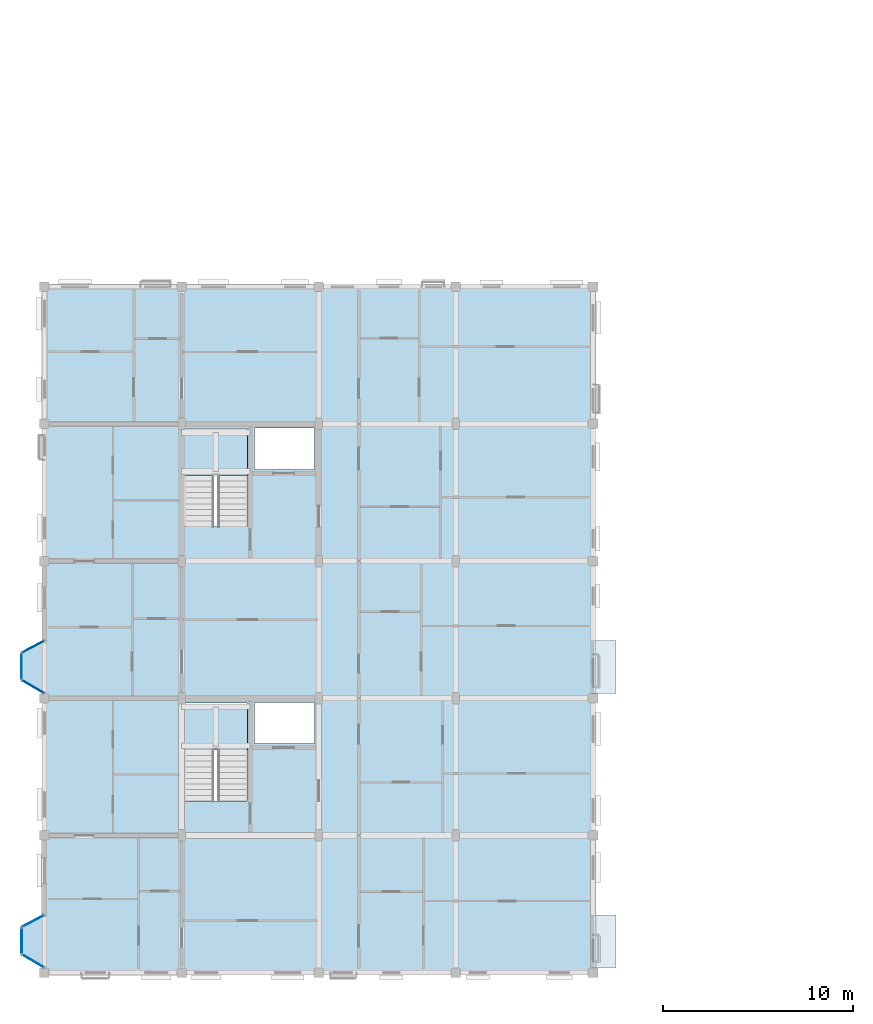
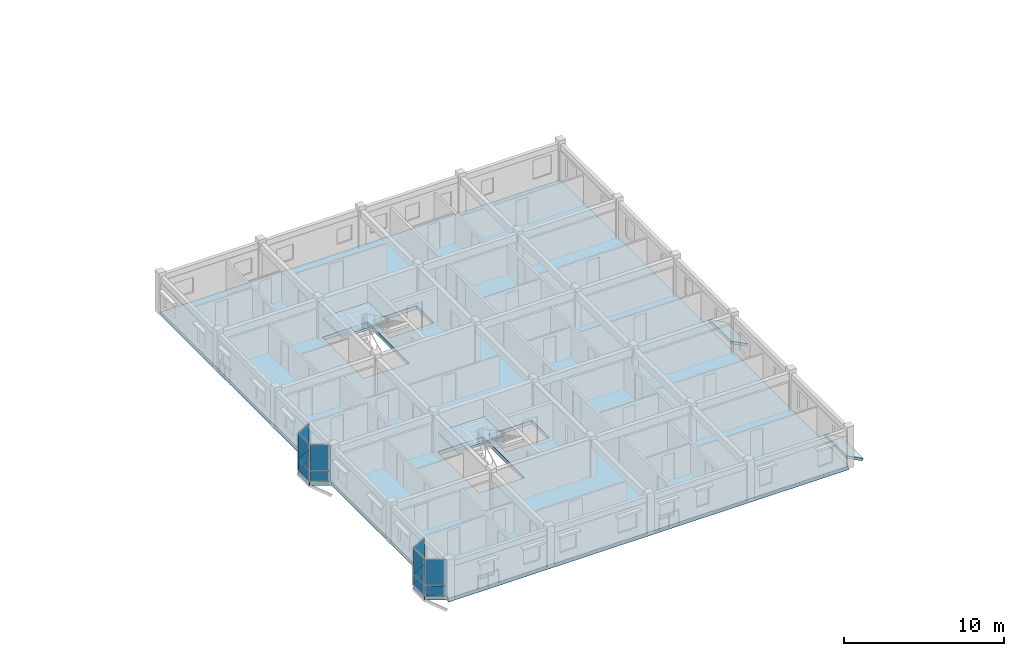
# One storey, part 13 of 38: 12 plates, 5 slabs, 8 elements without a shape of their own.
"""IFC4 building model written with IfcOpenShell, lengths in metres."""

from ifc_helpers import new_model, si_unit, direction, frame, origin, origin_2d, place, context, subcontext, project, spatial, polyline, rectangle, outline, extrude, material, layer, layer_set, type_object, element, aggregate, save


model = new_model("IFC4")

# Units and contexts
model_context = context("Model", 3, precision=1e-05, world=origin(), true_north=direction((0.0, 1.0)))
body_context = subcontext(model_context, "Body", "Model", "MODEL_VIEW")
ifc_project = project(units=[si_unit("LENGTHUNIT", "METRE"), si_unit("AREAUNIT", "SQUARE_METRE"), si_unit("VOLUMEUNIT", "CUBIC_METRE"), si_unit("PLANEANGLEUNIT", "RADIAN"), si_unit("MASSUNIT", "GRAM", prefix="KILO"), si_unit("THERMODYNAMICTEMPERATUREUNIT", "KELVIN"), si_unit("POWERUNIT", "WATT")], contexts=[model_context])

# Site, building, storey
site_placement = place(None, origin())
site = spatial("IfcSite", under=ifc_project, at=site_placement, CompositionType="ELEMENT")
building_placement = place(site_placement, origin())
building = spatial("IfcBuilding", under=site, at=building_placement, Name="Tavuni Mirador Residences", CompositionType="ELEMENT")
storey_placement = place(building_placement, frame((0.0, 0.0, 32.85009765625)))
storey = spatial("IfcBuildingStorey", under=building, at=storey_placement, Name="L10", CompositionType="ELEMENT", Elevation=32.85009765625)

# Curtain wall, plate
ifc_material_1 = material(Name="Anodised aluminium", Category="aluminium")
ifc_layer_1 = layer(ifc_material_1, 0.1650390625, Name="Anodised aluminium", Category="aluminium")
ifc_layer_set_1 = layer_set([ifc_layer_1], Name="Anodised aluminium")
curtain_wall_type_1 = type_object("IfcCurtainWallType", Name="CWT-MIR-A", PredefinedType="NOTDEFINED", material=ifc_layer_set_1)
curtain_wall_1_placement = place(storey_placement, origin())
curtain_wall_1 = element("IfcCurtainWall", 1, at=curtain_wall_1_placement, inside=storey, type_object=curtain_wall_type_1, Name="CW-MIR-A-W1-L10-M1", PredefinedType="NOTDEFINED")
ifc_material_2 = material(Name="Laminated solar-control glass", Category="glass")
ifc_layer_2 = layer(ifc_material_2, 0.02392578125, Name="Laminated solar-control glass", Category="glass")
ifc_layer_set_2 = layer_set([ifc_layer_2], Name="Laminated solar-control glass")
plate_type_1 = type_object("IfcPlateType", Name="CWP-GL24", PredefinedType="CURTAIN_PANEL", material=ifc_layer_set_2)
plate_1_placement = place(storey_placement, frame((3.0, 9.89990234375, 0.8798828125), z_axis=(0.0, 0.0, 1.0), x_axis=(-0.882352941175, -0.470588235296, 0.0)))
plate_1 = element("IfcPlate", 2, at=plate_1_placement, type_object=plate_type_1, Name="CW-01 panel 1.2", PredefinedType="CURTAIN_PANEL", context=body_context, shape_type="SweptSolid", body=[
    extrude(rectangle(XDim=1.239990234375, YDim=0.02392578125, at=origin_2d()), origin(), (0.0, 0.0, 1.0), 1.929931640625),
])

ifc_layer_3 = layer(ifc_material_1, 0.14990234375, Name="Anodised aluminium", Category="aluminium")
ifc_layer_set_3 = layer_set([ifc_layer_3], Name="Anodised aluminium")
curtain_wall_type_2 = type_object("IfcCurtainWallType", Name="CWT-MIR-B", PredefinedType="NOTDEFINED", material=ifc_layer_set_3)
curtain_wall_2_placement = place(storey_placement, origin())
curtain_wall_2 = element("IfcCurtainWall", 3, at=curtain_wall_2_placement, inside=storey, type_object=curtain_wall_type_2, Name="CW-MIR-A-W2-L10-M1", PredefinedType="NOTDEFINED")
ifc_layer_4 = layer(ifc_material_2, 0.028076171875, Name="Laminated solar-control glass", Category="glass")
ifc_layer_set_4 = layer_set([ifc_layer_4], Name="Laminated solar-control glass")
plate_type_2 = type_object("IfcPlateType", Name="CWP-GL28", PredefinedType="CURTAIN_PANEL", material=ifc_layer_set_4)
plate_2_placement = place(storey_placement, frame((3.0, 24.300048828125, 0.88232421875), z_axis=(0.0, 0.0, 1.0), x_axis=(-0.882352941175, -0.470588235296, 0.0)))
plate_2 = element("IfcPlate", 4, at=plate_2_placement, type_object=plate_type_2, Name="CW-02 panel 1.2", PredefinedType="CURTAIN_PANEL", context=body_context, shape_type="SweptSolid", body=[
    extrude(rectangle(XDim=1.22998046875, YDim=0.028076171875, at=origin_2d()), origin(), (0.0, 0.0, 1.0), 1.922607421875),
])

curtain_wall_3_placement = place(storey_placement, origin())
curtain_wall_3 = element("IfcCurtainWall", 5, at=curtain_wall_3_placement, inside=storey, type_object=curtain_wall_type_2, Name="CW-MIR-A-W1-L10-MF", PredefinedType="NOTDEFINED")
plate_3_placement = place(storey_placement, frame((2.39990234375, 8.8701171875, 0.88232421875), z_axis=(0.0, 0.0, 1.0), x_axis=(0.0, -1.0, 0.0)))
plate_3 = element("IfcPlate", 6, at=plate_3_placement, type_object=plate_type_2, Name="CW-02 panel 1.2", PredefinedType="CURTAIN_PANEL", context=body_context, shape_type="SweptSolid", body=[
    extrude(rectangle(XDim=1.2900390625, YDim=0.028076171875, at=origin_2d()), origin(), (0.0, 0.0, 1.0), 1.922607421875),
])

ifc_layer_5 = layer(ifc_material_1, 0.175048828125, Name="Anodised aluminium", Category="aluminium")
ifc_layer_set_5 = layer_set([ifc_layer_5], Name="Anodised aluminium")
curtain_wall_type_3 = type_object("IfcCurtainWallType", Name="CWT-MIR-C", PredefinedType="NOTDEFINED", material=ifc_layer_set_5)
curtain_wall_4_placement = place(storey_placement, origin())
curtain_wall_4 = element("IfcCurtainWall", 7, at=curtain_wall_4_placement, inside=storey, type_object=curtain_wall_type_3, Name="CW-MIR-A-W2-L10-MF", PredefinedType="NOTDEFINED")
ifc_layer_6 = layer(ifc_material_2, 0.031982421875, Name="Laminated solar-control glass", Category="glass")
ifc_layer_set_6 = layer_set([ifc_layer_6], Name="Laminated solar-control glass")
plate_type_3 = type_object("IfcPlateType", Name="CWP-GL32", PredefinedType="CURTAIN_PANEL", material=ifc_layer_set_6)
plate_4_placement = place(storey_placement, frame((2.39990234375, 23.27001953125, 0.8798828125), z_axis=(0.0, 0.0, 1.0), x_axis=(0.0, -1.0, 0.0)))
plate_4 = element("IfcPlate", 8, at=plate_4_placement, type_object=plate_type_3, Name="CW-03 panel 1.2", PredefinedType="CURTAIN_PANEL", context=body_context, shape_type="SweptSolid", body=[
    extrude(rectangle(XDim=1.300048828125, YDim=0.031982421875, at=origin_2d()), origin(), (0.0, 0.0, 1.0), 1.929931640625),
])

curtain_wall_5_placement = place(storey_placement, origin())
curtain_wall_5 = element("IfcCurtainWall", 9, at=curtain_wall_5_placement, inside=storey, type_object=curtain_wall_type_3, Name="CW-MIR-A-W1-L10-M2", PredefinedType="NOTDEFINED")
plate_5_placement = place(storey_placement, frame((3.0, 7.804931640625, 0.8798828125), z_axis=(0.0, 0.0, 1.0), x_axis=(0.860640830284, -0.509212491254, 0.0)))
plate_5 = element("IfcPlate", 10, at=plate_5_placement, type_object=plate_type_3, Name="CW-03 panel 1.2", PredefinedType="CURTAIN_PANEL", context=body_context, shape_type="SweptSolid", body=[
    extrude(rectangle(XDim=1.2744140625, YDim=0.031982421875, at=origin_2d()), origin(), (0.0, 0.0, 1.0), 1.929931640625),
])

ifc_layer_7 = layer(ifc_material_1, 0.159912109375, Name="Anodised aluminium", Category="aluminium")
ifc_layer_set_7 = layer_set([ifc_layer_7], Name="Anodised aluminium")
curtain_wall_type_4 = type_object("IfcCurtainWallType", Name="CWT-MIR-D", PredefinedType="NOTDEFINED", material=ifc_layer_set_7)
curtain_wall_6_placement = place(storey_placement, origin())
curtain_wall_6 = element("IfcCurtainWall", 11, at=curtain_wall_6_placement, inside=storey, type_object=curtain_wall_type_4, Name="CW-MIR-A-W2-L10-M2", PredefinedType="NOTDEFINED")
ifc_layer_8 = layer(ifc_material_2, 0.035888671875, Name="Laminated solar-control glass", Category="glass")
ifc_layer_set_8 = layer_set([ifc_layer_8], Name="Laminated solar-control glass")
plate_type_4 = type_object("IfcPlateType", Name="CWP-GL36", PredefinedType="CURTAIN_PANEL", material=ifc_layer_set_8)
plate_6_placement = place(storey_placement, frame((3.0, 22.205078125, 0.88232421875), z_axis=(0.0, 0.0, 1.0), x_axis=(0.860640830284, -0.509212491254, 0.0)))
plate_6 = element("IfcPlate", 12, at=plate_6_placement, type_object=plate_type_4, Name="CW-04 panel 1.2", PredefinedType="CURTAIN_PANEL", context=body_context, shape_type="SweptSolid", body=[
    extrude(rectangle(XDim=1.264404296875, YDim=0.035888671875, at=origin_2d()), origin(), (0.0, 0.0, 1.0), 1.922607421875),
])

# Plate
ifc_material_3 = material(Name="Ceramic trencadis mosaic panel", Category="masonry")
ifc_layer_9 = layer(ifc_material_3, 0.0419921875, Name="Ceramic trencadis mosaic panel", Category="masonry")
ifc_layer_set_9 = layer_set([ifc_layer_9], Name="Ceramic trencadis mosaic panel")
plate_type_5 = type_object("IfcPlateType", Name="CWP-SP42", PredefinedType="CURTAIN_PANEL", material=ifc_layer_set_9)
plate_7_placement = place(storey_placement, frame((2.39990234375, 23.27001953125, 0.06005859375), z_axis=(0.0, 0.0, 1.0), x_axis=(0.0, -1.0, 0.0)))
plate_7 = element("IfcPlate", 13, at=plate_7_placement, type_object=plate_type_5, Name="CW-03 panel 1.1", PredefinedType="CURTAIN_PANEL", context=body_context, shape_type="SweptSolid", body=[
    extrude(rectangle(XDim=1.300048828125, YDim=0.0419921875, at=origin_2d()), origin(), (0.0, 0.0, 1.0), 0.760009765625),
])

aggregate(curtain_wall_4, [plate_7, plate_4])

plate_8_placement = place(storey_placement, frame((3.0, 9.89990234375, 0.06005859375), z_axis=(0.0, 0.0, 1.0), x_axis=(-0.882352941175, -0.470588235296, 0.0)))
plate_8 = element("IfcPlate", 14, at=plate_8_placement, type_object=plate_type_5, Name="CW-01 panel 1.1", PredefinedType="CURTAIN_PANEL", context=body_context, shape_type="SweptSolid", body=[
    extrude(rectangle(XDim=1.239990234375, YDim=0.0419921875, at=origin_2d()), origin(), (0.0, 0.0, 1.0), 0.760009765625),
])

aggregate(curtain_wall_1, [plate_8, plate_1])

plate_9_placement = place(storey_placement, frame((3.0, 7.804931640625, 0.06005859375), z_axis=(0.0, 0.0, 1.0), x_axis=(0.860640830284, -0.509212491254, 0.0)))
plate_9 = element("IfcPlate", 15, at=plate_9_placement, type_object=plate_type_5, Name="CW-03 panel 1.1", PredefinedType="CURTAIN_PANEL", context=body_context, shape_type="SweptSolid", body=[
    extrude(rectangle(XDim=1.2744140625, YDim=0.0419921875, at=origin_2d()), origin(), (0.0, 0.0, 1.0), 0.760009765625),
])

aggregate(curtain_wall_5, [plate_9, plate_5])

ifc_layer_10 = layer(ifc_material_3, 0.048095703125, Name="Ceramic trencadis mosaic panel", Category="masonry")
ifc_layer_set_10 = layer_set([ifc_layer_10], Name="Ceramic trencadis mosaic panel")
plate_type_6 = type_object("IfcPlateType", Name="CWP-SP48", PredefinedType="CURTAIN_PANEL", material=ifc_layer_set_10)
plate_10_placement = place(storey_placement, frame((3.0, 24.300048828125, 0.06494140625), z_axis=(0.0, 0.0, 1.0), x_axis=(-0.882352941175, -0.470588235296, 0.0)))
plate_10 = element("IfcPlate", 16, at=plate_10_placement, type_object=plate_type_6, Name="CW-02 panel 1.1", PredefinedType="CURTAIN_PANEL", context=body_context, shape_type="SweptSolid", body=[
    extrude(rectangle(XDim=1.22998046875, YDim=0.048095703125, at=origin_2d()), origin(), (0.0, 0.0, 1.0), 0.75244140625),
])

aggregate(curtain_wall_2, [plate_10, plate_2])

plate_11_placement = place(storey_placement, frame((3.0, 22.205078125, 0.06494140625), z_axis=(0.0, 0.0, 1.0), x_axis=(0.860640830284, -0.509212491254, 0.0)))
plate_11 = element("IfcPlate", 17, at=plate_11_placement, type_object=plate_type_6, Name="CW-04 panel 1.1", PredefinedType="CURTAIN_PANEL", context=body_context, shape_type="SweptSolid", body=[
    extrude(rectangle(XDim=1.264404296875, YDim=0.048095703125, at=origin_2d()), origin(), (0.0, 0.0, 1.0), 0.75244140625),
])

aggregate(curtain_wall_6, [plate_11, plate_6])

plate_12_placement = place(storey_placement, frame((2.39990234375, 8.8701171875, 0.06494140625), z_axis=(0.0, 0.0, 1.0), x_axis=(0.0, -1.0, 0.0)))
plate_12 = element("IfcPlate", 18, at=plate_12_placement, type_object=plate_type_6, Name="CW-02 panel 1.1", PredefinedType="CURTAIN_PANEL", context=body_context, shape_type="SweptSolid", body=[
    extrude(rectangle(XDim=1.2900390625, YDim=0.048095703125, at=origin_2d()), origin(), (0.0, 0.0, 1.0), 0.75244140625),
])

aggregate(curtain_wall_3, [plate_12, plate_3])

# Slab
ifc_material_4 = material(Name="Prestressed concrete C45/55", Category="concrete")
ifc_layer_11 = layer(ifc_material_4, 0.280029296875, Name="Prestressed concrete C45/55", Category="concrete")
ifc_layer_set_11 = layer_set([ifc_layer_11], Name="Prestressed concrete C45/55")
slab_type_1 = type_object("IfcSlabType", Name="SLT-FLR280", PredefinedType="FLOOR", material=ifc_layer_set_11)
slab_1_placement = place(storey_placement, frame((0.0, 0.0, -0.280029296875)))
element("IfcSlab", 19, at=slab_1_placement, inside=storey, type_object=slab_type_1, Name="SLB-BLK-A-L10", PredefinedType="FLOOR", context=body_context, shape_type="SweptSolid", body=[
    extrude(outline(polyline([(3.60009765625, 7.199951171875), (32.39990234375, 7.199951171875), (32.39990234375, 43.199951171875), (3.60009765625, 43.199951171875), (3.60009765625, 24.6201171875), (2.39990234375, 23.97998046875), (2.39990234375, 22.56005859375), (3.60009765625, 21.85009765625), (3.60009765625, 10.219970703125), (2.39990234375, 9.580078125), (2.39990234375, 8.159912109375), (3.60009765625, 7.449951171875), (3.60009765625, 7.199951171875)]), holes=[polyline([(10.9599609375, 16.2080078125), (14.239990234375, 16.2080078125), (14.239990234375, 21.360107421875), (10.9599609375, 21.360107421875), (10.9599609375, 16.2080078125)]), polyline([(14.6201171875, 19.219970703125), (17.780029296875, 19.219970703125), (17.780029296875, 21.3798828125), (14.6201171875, 21.3798828125), (14.6201171875, 19.219970703125)]), polyline([(10.9599609375, 30.60791015625), (14.239990234375, 30.60791015625), (14.239990234375, 35.760009765625), (10.9599609375, 35.760009765625), (10.9599609375, 30.60791015625)]), polyline([(14.6201171875, 33.6201171875), (17.780029296875, 33.6201171875), (17.780029296875, 35.780029296875), (14.6201171875, 35.780029296875), (14.6201171875, 33.6201171875)])]), origin(), (0.0, 0.0, 1.0), 0.280029296875),
])

# Stair, slab
ifc_material_5 = material(Name="Precast concrete C40/50", Category="concrete")
stair_type = type_object("IfcStairType", Name="STT-TYP", PredefinedType="HALF_TURN_STAIR", material=ifc_material_5)
stair_1_placement = place(storey_placement, origin())
stair_1 = element("IfcStair", 20, at=stair_1_placement, inside=storey, type_object=stair_type, Name="Protected exit stair ST1 (L10)", PredefinedType="HALF_TURN_STAIR")
ifc_layer_12 = layer(ifc_material_5, 0.179931640625, Name="Precast concrete C40/50", Category="concrete")
ifc_layer_set_12 = layer_set([ifc_layer_12], Name="Precast concrete C40/50")
slab_type_2 = type_object("IfcSlabType", Name="SLT-LND180", PredefinedType="LANDING", material=ifc_layer_set_12)
slab_2_placement = place(storey_placement, frame((0.0, 0.0, 1.39501953125)))
slab_2 = element("IfcSlab", 21, at=slab_2_placement, type_object=slab_type_2, Name="ST1 landing 1", PredefinedType="LANDING", context=body_context, shape_type="SweptSolid", body=[
    extrude(outline(polyline([(10.93994140625, 18.89208984375), (14.260009765625, 18.89208984375), (14.260009765625, 21.300048828125), (10.93994140625, 21.300048828125), (10.93994140625, 18.89208984375)])), origin(), (0.0, 0.0, 1.0), 0.179931640625),
])
aggregate(stair_1, [slab_2])

stair_2_placement = place(storey_placement, origin())
stair_2 = element("IfcStair", 22, at=stair_2_placement, inside=storey, type_object=stair_type, Name="Protected exit stair ST2 (L10)", PredefinedType="HALF_TURN_STAIR")
slab_3_placement = place(storey_placement, frame((0.0, 0.0, 1.39501953125)))
slab_3 = element("IfcSlab", 23, at=slab_3_placement, type_object=slab_type_2, Name="ST2 landing 1", PredefinedType="LANDING", context=body_context, shape_type="SweptSolid", body=[
    extrude(outline(polyline([(10.93994140625, 33.2919921875), (14.260009765625, 33.2919921875), (14.260009765625, 35.699951171875), (10.93994140625, 35.699951171875), (10.93994140625, 33.2919921875)])), origin(), (0.0, 0.0, 1.0), 0.179931640625),
])
aggregate(stair_2, [slab_3])

# Slabs
ifc_layer_13 = layer(ifc_material_5, 0.175048828125, Name="Precast concrete C40/50", Category="concrete")
ifc_layer_set_13 = layer_set([ifc_layer_13], Name="Precast concrete C40/50")
slab_type_3 = type_object("IfcSlabType", Name="SLT-RF175", PredefinedType="ROOF", material=ifc_layer_set_13)
for number, where, z_axis, x_axis, name in (
    (24, (32.39990234375, 7.449951171875, 0.619873046875), (0.458886902548, 0.0, 0.888494688037), (0.0, 1.0, 0.0), "Mirador roof hood MIR-A-E1"),
    (25, (32.39990234375, 21.85009765625, 0.619873046875), (0.458886902548, 0.0, 0.888494688037), (0.0, 1.0, 0.0), "Mirador roof hood MIR-A-E2"),
):
    element("IfcSlab", number, at=place(storey_placement, frame(where, z_axis=z_axis, x_axis=x_axis)), inside=storey, type_object=slab_type_3, Name=name, PredefinedType="ROOF", context=body_context, shape_type="SweptSolid", body=[
        extrude(outline(polyline([(0.0, 0.0), (2.77001953125, 0.0), (2.77001953125, -1.3508187822165745), (0.0, -1.3508187822165745), (0.0, 0.0)])), origin(), (0.0, 0.0, -1.0), 0.175048828125),
    ])

save(model, "model.ifc")
